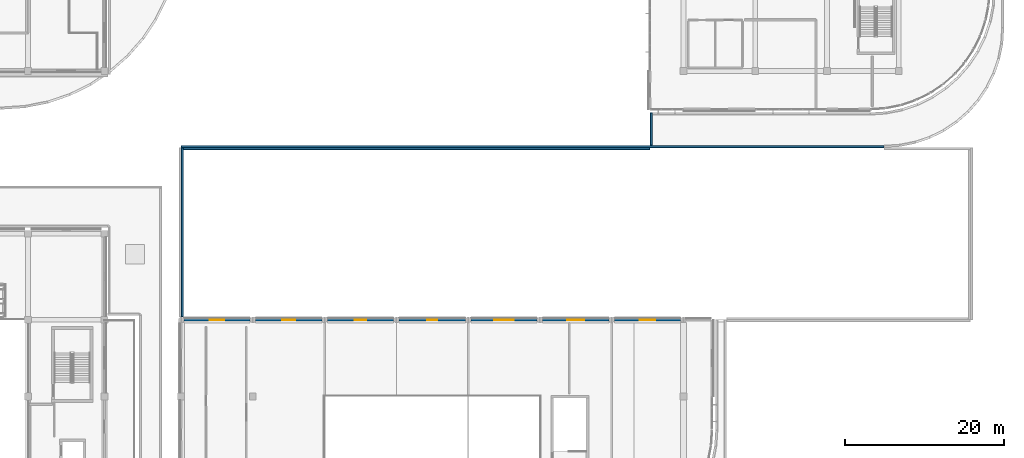
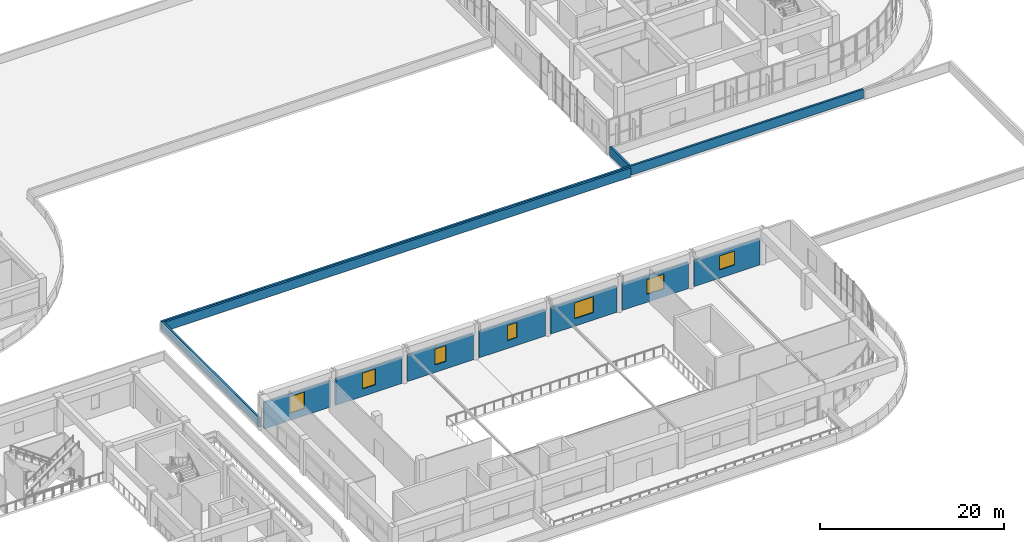
# One storey, part 46 of 67: 11 walls, 7 windows, 7 openings.
"""IFC4 building model written with IfcOpenShell, lengths in metres."""

from ifc_helpers import new_model, si_unit, direction, frame, frame_2d, origin, place, context, subcontext, project, spatial, rectangle, extrude, material, layer, layer_set, type_object, element, fill, save


model = new_model("IFC4")

# Units and contexts
model_context = context("Model", 3, precision=1e-05, world=origin(), true_north=direction((0.0, 1.0)))
body_context = subcontext(model_context, "Body", "Model", "MODEL_VIEW")
ifc_project = project(units=[si_unit("LENGTHUNIT", "METRE"), si_unit("AREAUNIT", "SQUARE_METRE"), si_unit("VOLUMEUNIT", "CUBIC_METRE"), si_unit("PLANEANGLEUNIT", "RADIAN"), si_unit("MASSUNIT", "GRAM", prefix="KILO")], contexts=[model_context])

# Site, building, storey
site_placement = place(None, origin())
site = spatial("IfcSite", under=ifc_project, at=site_placement, CompositionType="ELEMENT")
building_placement = place(site_placement, origin())
building = spatial("IfcBuilding", under=site, at=building_placement, Name="Cendralis Terraced Arcade", CompositionType="ELEMENT")
storey_placement = place(building_placement, frame((0.0, 0.0, 15.0)))
storey = spatial("IfcBuildingStorey", under=building, at=storey_placement, Name="L03", CompositionType="ELEMENT", Elevation=15.0)

# Wall, opening, window
ifc_material_1 = material(Name="Terracotta clay masonry", Category="masonry")
ifc_layer_1 = layer(ifc_material_1, 0.264892578125, Name="WL-EXT-TER-265")
ifc_layer_set_1 = layer_set([ifc_layer_1], Name="Terracotta clay masonry")
wall_type_1 = type_object("IfcWallType", Name="WL-EXT-TER-265", PredefinedType="SOLIDWALL", material=ifc_layer_set_1)
wall_1_placement = place(storey_placement, frame((67.548095703125, 38.39990234375, 0.0), z_axis=(0.0, 0.0, 1.0), x_axis=(1.0, 0.0, 0.0)))
wall_1 = element("IfcWall", 1, at=wall_1_placement, inside=storey, type_object=wall_type_1, Name="Exterior Architectural Wall EW-L03-0250", PredefinedType="SOLIDWALL", context=body_context, shape_type="SweptSolid", body=[
    extrude(rectangle(XDim=8.303955078125, YDim=0.264892578125, at=frame_2d((4.15185546875, 0.0))), origin(), (0.0, 0.0, 1.0), 3.489990234375),
])
opening_1_placement = place(wall_1_placement, frame((3.251953125, 0.0, 0.949951171875)))
opening_1 = element("IfcOpeningElement", 2, at=opening_1_placement, cuts=wall_1, Name="Opening W-04", PredefinedType="OPENING", context=body_context, shape_type="SweptSolid", body=[
    extrude(rectangle(XDim=1.800048828125, YDim=2.199951171875, at=frame_2d((0.89990234375, 1.10009765625))), frame((0.0, 0.14453125, 0.0), z_axis=(0.0, -1.0, 0.0), x_axis=(1.0, 0.0, 0.0)), (0.0, 0.0, 1.0), 0.288818359375),
])
ifc_material_2 = material(Name="Tempered solar control laminated glass", Category="glass")
window_type_1 = type_object("IfcWindowType", Name="WN-F1-1800x2200", PartitioningType="SINGLE_PANEL", PredefinedType="WINDOW", material=ifc_material_2)
window_1_placement = place(opening_1_placement, origin())
window_1 = element("IfcWindow", 3, at=window_1_placement, inside=storey, type_object=window_type_1, Name="Exterior Solar-Control Window WN-L03-0160", OverallHeight=2.199951171875, OverallWidth=1.800048828125, PartitioningType="SINGLE_PANEL", PredefinedType="WINDOW", context=body_context, shape_type="SweptSolid", body=[
    extrude(rectangle(XDim=1.800048828125, YDim=2.199951171875, at=frame_2d((0.89990234375, 1.10009765625))), frame((0.0, 0.030029296875, 0.0), z_axis=(0.0, -1.0, 0.0), x_axis=(1.0, 0.0, 0.0)), (0.0, 0.0, 1.0), 0.06005859375),
])
fill(opening_1, window_1)

wall_2_placement = place(storey_placement, frame((76.548095703125, 38.39990234375, 0.0), z_axis=(0.0, 0.0, 1.0), x_axis=(1.0, 0.0, 0.0)))
wall_2 = element("IfcWall", 4, at=wall_2_placement, inside=storey, type_object=wall_type_1, Name="Exterior Architectural Wall EW-L03-0251", PredefinedType="SOLIDWALL", context=body_context, shape_type="SweptSolid", body=[
    extrude(rectangle(XDim=8.303955078125, YDim=0.264892578125, at=frame_2d((4.15185546875, 0.0))), origin(), (0.0, 0.0, 1.0), 3.489990234375),
])
opening_2_placement = place(wall_2_placement, frame((3.35205078125, 0.0, 1.0)))
opening_2 = element("IfcOpeningElement", 5, at=opening_2_placement, cuts=wall_2, Name="Opening W-05", PredefinedType="OPENING", context=body_context, shape_type="SweptSolid", body=[
    extrude(rectangle(XDim=1.60009765625, YDim=2.10009765625, at=frame_2d((0.800048828125, 1.050048828125))), frame((0.0, 0.14453125, 0.0), z_axis=(0.0, -1.0, 0.0), x_axis=(1.0, 0.0, 0.0)), (0.0, 0.0, 1.0), 0.288818359375),
])
window_type_2 = type_object("IfcWindowType", Name="WN-F1-1600x2100", PartitioningType="SINGLE_PANEL", PredefinedType="WINDOW", material=ifc_material_2)
window_2_placement = place(opening_2_placement, origin())
window_2 = element("IfcWindow", 6, at=window_2_placement, inside=storey, type_object=window_type_2, Name="Exterior Solar-Control Window WN-L03-0161", OverallHeight=2.10009765625, OverallWidth=1.60009765625, PartitioningType="SINGLE_PANEL", PredefinedType="WINDOW", context=body_context, shape_type="SweptSolid", body=[
    extrude(rectangle(XDim=1.60009765625, YDim=2.10009765625, at=frame_2d((0.800048828125, 1.050048828125))), frame((0.0, 0.030029296875, 0.0), z_axis=(0.0, -1.0, 0.0), x_axis=(1.0, 0.0, 0.0)), (0.0, 0.0, 1.0), 0.06005859375),
])
fill(opening_2, window_2)

wall_3_placement = place(storey_placement, frame((85.548095703125, 38.39990234375, 0.0), z_axis=(0.0, 0.0, 1.0), x_axis=(1.0, 0.0, 0.0)))
wall_3 = element("IfcWall", 7, at=wall_3_placement, inside=storey, type_object=wall_type_1, Name="Exterior Architectural Wall EW-L03-0252", PredefinedType="SOLIDWALL", context=body_context, shape_type="SweptSolid", body=[
    extrude(rectangle(XDim=8.303955078125, YDim=0.264892578125, at=frame_2d((4.15185546875, 0.0))), origin(), (0.0, 0.0, 1.0), 3.489990234375),
])
opening_3_placement = place(wall_3_placement, frame((3.451904296875, 0.0, 1.0)))
opening_3 = element("IfcOpeningElement", 8, at=opening_3_placement, cuts=wall_3, Name="Opening W-06", PredefinedType="OPENING", context=body_context, shape_type="SweptSolid", body=[
    extrude(rectangle(XDim=1.39990234375, YDim=2.10009765625, at=frame_2d((0.699951171875, 1.050048828125))), frame((0.0, 0.14453125, 0.0), z_axis=(0.0, -1.0, 0.0), x_axis=(1.0, 0.0, 0.0)), (0.0, 0.0, 1.0), 0.288818359375),
])
window_type_3 = type_object("IfcWindowType", Name="WN-F1-1400x2100", PartitioningType="SINGLE_PANEL", PredefinedType="WINDOW", material=ifc_material_2)
window_3_placement = place(opening_3_placement, origin())
window_3 = element("IfcWindow", 9, at=window_3_placement, inside=storey, type_object=window_type_3, Name="Exterior Solar-Control Window WN-L03-0162", OverallHeight=2.10009765625, OverallWidth=1.39990234375, PartitioningType="SINGLE_PANEL", PredefinedType="WINDOW", context=body_context, shape_type="SweptSolid", body=[
    extrude(rectangle(XDim=1.39990234375, YDim=2.10009765625, at=frame_2d((0.699951171875, 1.050048828125))), frame((0.0, 0.030029296875, 0.0), z_axis=(0.0, -1.0, 0.0), x_axis=(1.0, 0.0, 0.0)), (0.0, 0.0, 1.0), 0.06005859375),
])
fill(opening_3, window_3)

wall_4_placement = place(storey_placement, frame((94.548095703125, 38.39990234375, 0.0), z_axis=(0.0, 0.0, 1.0), x_axis=(1.0, 0.0, 0.0)))
wall_4 = element("IfcWall", 10, at=wall_4_placement, inside=storey, type_object=wall_type_1, Name="Exterior Architectural Wall EW-L03-0253", PredefinedType="SOLIDWALL", context=body_context, shape_type="SweptSolid", body=[
    extrude(rectangle(XDim=8.303955078125, YDim=0.264892578125, at=frame_2d((4.15185546875, 0.0))), origin(), (0.0, 0.0, 1.0), 3.489990234375),
])
opening_4_placement = place(wall_4_placement, frame((3.552001953125, 0.0, 1.050048828125)))
opening_4 = element("IfcOpeningElement", 11, at=opening_4_placement, cuts=wall_4, Name="Opening W-07", PredefinedType="OPENING", context=body_context, shape_type="SweptSolid", body=[
    extrude(rectangle(XDim=1.199951171875, YDim=2.0, at=frame_2d((0.60009765625, 1.0))), frame((0.0, 0.14453125, 0.0), z_axis=(0.0, -1.0, 0.0), x_axis=(1.0, 0.0, 0.0)), (0.0, 0.0, 1.0), 0.288818359375),
])
window_type_4 = type_object("IfcWindowType", Name="WN-F1-1200x2000", PartitioningType="SINGLE_PANEL", PredefinedType="WINDOW", material=ifc_material_2)
window_4_placement = place(opening_4_placement, origin())
window_4 = element("IfcWindow", 12, at=window_4_placement, inside=storey, type_object=window_type_4, Name="Exterior Solar-Control Window WN-L03-0163", OverallHeight=2.0, OverallWidth=1.199951171875, PartitioningType="SINGLE_PANEL", PredefinedType="WINDOW", context=body_context, shape_type="SweptSolid", body=[
    extrude(rectangle(XDim=1.199951171875, YDim=2.0, at=frame_2d((0.60009765625, 1.0))), frame((0.0, 0.030029296875, 0.0), z_axis=(0.0, -1.0, 0.0), x_axis=(1.0, 0.0, 0.0)), (0.0, 0.0, 1.0), 0.06005859375),
])
fill(opening_4, window_4)

wall_5_placement = place(storey_placement, frame((103.548095703125, 38.39990234375, 0.0), z_axis=(0.0, 0.0, 1.0), x_axis=(1.0, 0.0, 0.0)))
wall_5 = element("IfcWall", 13, at=wall_5_placement, inside=storey, type_object=wall_type_1, Name="Exterior Architectural Wall EW-L03-0254", PredefinedType="SOLIDWALL", context=body_context, shape_type="SweptSolid", body=[
    extrude(rectangle(XDim=8.303955078125, YDim=0.264892578125, at=frame_2d((4.15185546875, 0.0))), origin(), (0.0, 0.0, 1.0), 3.489990234375),
])
opening_5_placement = place(wall_5_placement, frame((2.951904296875, 0.0, 1.0)))
opening_5 = element("IfcOpeningElement", 14, at=opening_5_placement, cuts=wall_5, Name="Opening W-11", PredefinedType="OPENING", context=body_context, shape_type="SweptSolid", body=[
    extrude(rectangle(XDim=2.39990234375, YDim=2.10009765625, at=frame_2d((1.199951171875, 1.050048828125))), frame((0.0, 0.14453125, 0.0), z_axis=(0.0, -1.0, 0.0), x_axis=(1.0, 0.0, 0.0)), (0.0, 0.0, 1.0), 0.288818359375),
])
window_type_5 = type_object("IfcWindowType", Name="WN-F2-2400x2100", PartitioningType="SINGLE_PANEL", PredefinedType="WINDOW", material=ifc_material_2)
window_5_placement = place(opening_5_placement, origin())
window_5 = element("IfcWindow", 15, at=window_5_placement, inside=storey, type_object=window_type_5, Name="Exterior Solar-Control Window WN-L03-0164", OverallHeight=2.10009765625, OverallWidth=2.39990234375, PartitioningType="SINGLE_PANEL", PredefinedType="WINDOW", context=body_context, shape_type="SweptSolid", body=[
    extrude(rectangle(XDim=2.39990234375, YDim=2.10009765625, at=frame_2d((1.199951171875, 1.050048828125))), frame((0.0, 0.030029296875, 0.0), z_axis=(0.0, -1.0, 0.0), x_axis=(1.0, 0.0, 0.0)), (0.0, 0.0, 1.0), 0.06005859375),
])
fill(opening_5, window_5)

wall_6_placement = place(storey_placement, frame((112.548095703125, 38.39990234375, 0.0), z_axis=(0.0, 0.0, 1.0), x_axis=(1.0, 0.0, 0.0)))
wall_6 = element("IfcWall", 16, at=wall_6_placement, inside=storey, type_object=wall_type_1, Name="Exterior Architectural Wall EW-L03-0255", PredefinedType="SOLIDWALL", context=body_context, shape_type="SweptSolid", body=[
    extrude(rectangle(XDim=8.303955078125, YDim=0.264892578125, at=frame_2d((4.15185546875, 0.0))), origin(), (0.0, 0.0, 1.0), 3.489990234375),
])
opening_6_placement = place(wall_6_placement, frame((3.10205078125, 0.0, 1.050048828125)))
opening_6 = element("IfcOpeningElement", 17, at=opening_6_placement, cuts=wall_6, Name="Opening W-12", PredefinedType="OPENING", context=body_context, shape_type="SweptSolid", body=[
    extrude(rectangle(XDim=2.10009765625, YDim=1.949951171875, at=frame_2d((1.050048828125, 0.97509765625))), frame((0.0, 0.14453125, 0.0), z_axis=(0.0, -1.0, 0.0), x_axis=(1.0, 0.0, 0.0)), (0.0, 0.0, 1.0), 0.288818359375),
])
window_type_6 = type_object("IfcWindowType", Name="WN-F2-2100x1950", PartitioningType="SINGLE_PANEL", PredefinedType="WINDOW", material=ifc_material_2)
window_6_placement = place(opening_6_placement, origin())
window_6 = element("IfcWindow", 18, at=window_6_placement, inside=storey, type_object=window_type_6, Name="Exterior Solar-Control Window WN-L03-0165", OverallHeight=1.949951171875, OverallWidth=2.10009765625, PartitioningType="SINGLE_PANEL", PredefinedType="WINDOW", context=body_context, shape_type="SweptSolid", body=[
    extrude(rectangle(XDim=2.10009765625, YDim=1.949951171875, at=frame_2d((1.050048828125, 0.97509765625))), frame((0.0, 0.030029296875, 0.0), z_axis=(0.0, -1.0, 0.0), x_axis=(1.0, 0.0, 0.0)), (0.0, 0.0, 1.0), 0.06005859375),
])
fill(opening_6, window_6)

wall_7_placement = place(storey_placement, frame((121.548095703125, 38.39990234375, 0.0), z_axis=(0.0, 0.0, 1.0), x_axis=(1.0, 0.0, 0.0)))
wall_7 = element("IfcWall", 19, at=wall_7_placement, inside=storey, type_object=wall_type_1, Name="Exterior Architectural Wall EW-L03-0256", PredefinedType="SOLIDWALL", context=body_context, shape_type="SweptSolid", body=[
    extrude(rectangle(XDim=8.303955078125, YDim=0.264892578125, at=frame_2d((4.15185546875, 0.0))), origin(), (0.0, 0.0, 1.0), 3.489990234375),
])
opening_7_placement = place(wall_7_placement, frame((3.201904296875, 0.0, 1.10009765625)))
opening_7 = element("IfcOpeningElement", 20, at=opening_7_placement, cuts=wall_7, Name="Opening W-13", PredefinedType="OPENING", context=body_context, shape_type="SweptSolid", body=[
    extrude(rectangle(XDim=1.89990234375, YDim=1.85009765625, at=frame_2d((0.949951171875, 0.925048828125))), frame((0.0, 0.14453125, 0.0), z_axis=(0.0, -1.0, 0.0), x_axis=(1.0, 0.0, 0.0)), (0.0, 0.0, 1.0), 0.288818359375),
])
window_type_7 = type_object("IfcWindowType", Name="WN-F2-1900x1850", PartitioningType="SINGLE_PANEL", PredefinedType="WINDOW", material=ifc_material_2)
window_7_placement = place(opening_7_placement, origin())
window_7 = element("IfcWindow", 21, at=window_7_placement, inside=storey, type_object=window_type_7, Name="Exterior Solar-Control Window WN-L03-0166", OverallHeight=1.85009765625, OverallWidth=1.89990234375, PartitioningType="SINGLE_PANEL", PredefinedType="WINDOW", context=body_context, shape_type="SweptSolid", body=[
    extrude(rectangle(XDim=1.89990234375, YDim=1.85009765625, at=frame_2d((0.949951171875, 0.925048828125))), frame((0.0, 0.030029296875, 0.0), z_axis=(0.0, -1.0, 0.0), x_axis=(1.0, 0.0, 0.0)), (0.0, 0.0, 1.0), 0.06005859375),
])
fill(opening_7, window_7)

# Walls
ifc_material_3 = material(Name="Precast concrete f'c 40 MPa", Category="concrete")
ifc_layer_2 = layer(ifc_material_3, 0.25, Name="WL-PAR-250")
ifc_layer_set_2 = layer_set([ifc_layer_2], Name="Precast concrete f'c 40 MPa")
wall_type_2 = type_object("IfcWallType", Name="WL-PAR-250", PredefinedType="PARAPET", material=ifc_layer_set_2)
wall_8_placement = place(storey_placement, frame((155.363525390625, 60.125, 0.0), z_axis=(0.0, 0.0, 1.0), x_axis=(-1.0, 0.0, 0.0)))
element("IfcWall", 22, at=wall_8_placement, inside=storey, type_object=wall_type_2, Name="Precast Concrete Roof Parapet Wall PAR-L03-320", PredefinedType="PARAPET", context=body_context, shape_type="SweptSolid", body=[
    extrude(rectangle(XDim=88.1435546875, YDim=0.25, at=frame_2d((44.07177734375, 0.0))), origin(), (0.0, 0.0, 1.0), 1.199951171875),
])
wall_9_placement = place(storey_placement, frame((67.344970703125, 38.820068359375, 0.0), z_axis=(0.0, 0.0, 1.0), x_axis=(0.0, 1.0, 0.0)))
element("IfcWall", 23, at=wall_9_placement, inside=storey, type_object=wall_type_2, Name="Precast Concrete Roof Parapet Wall PAR-L03-322", PredefinedType="PARAPET", context=body_context, shape_type="SweptSolid", body=[
    extrude(rectangle(XDim=21.179931640625, YDim=0.25, at=frame_2d((10.58984375, 0.0))), origin(), (0.0, 0.0, 1.0), 1.199951171875),
])
wall_10_placement = place(storey_placement, frame((67.489990234375, 59.85498046875, 0.0), z_axis=(0.0, 0.0, 1.0), x_axis=(1.0, 0.0, 0.0)))
element("IfcWall", 24, at=wall_10_placement, inside=storey, type_object=wall_type_2, Name="Precast Concrete Roof Parapet Wall PAR-L03-323", PredefinedType="PARAPET", context=body_context, shape_type="SweptSolid", body=[
    extrude(rectangle(XDim=58.510009765625, YDim=0.25, at=frame_2d((29.2548828125, 0.0))), origin(), (0.0, 0.0, 1.0), 1.199951171875),
])
wall_11_placement = place(storey_placement, frame((126.14501953125, 60.27001953125, 0.0), z_axis=(0.0, 0.0, 1.0), x_axis=(0.0, 1.0, 0.0)))
element("IfcWall", 25, at=wall_11_placement, inside=storey, type_object=wall_type_2, Name="Precast Concrete Roof Parapet Wall PAR-L03-324", PredefinedType="PARAPET", context=body_context, shape_type="SweptSolid", body=[
    extrude(rectangle(XDim=4.10986328125, YDim=0.25, at=frame_2d((2.054931640625, 0.0))), origin(), (0.0, 0.0, 1.0), 1.199951171875),
])

save(model, "model.ifc")
